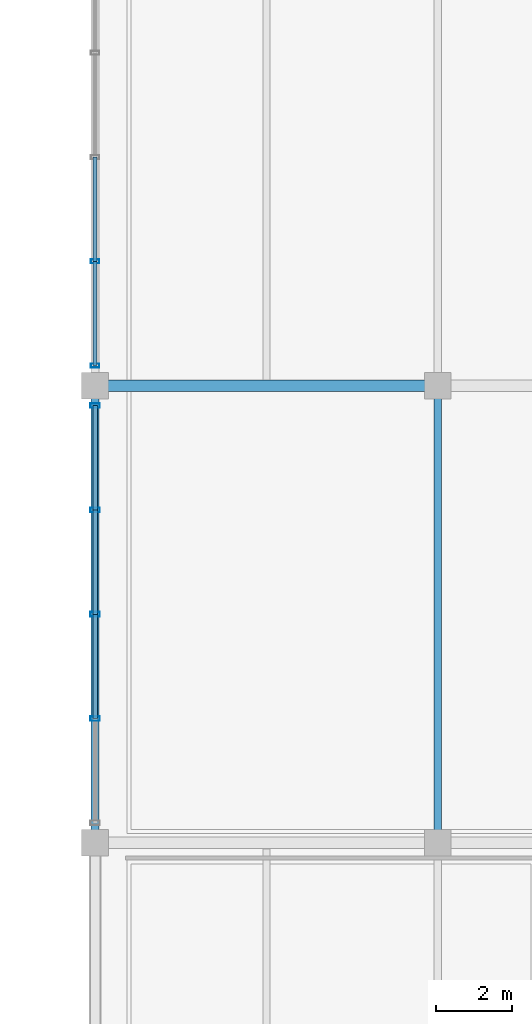
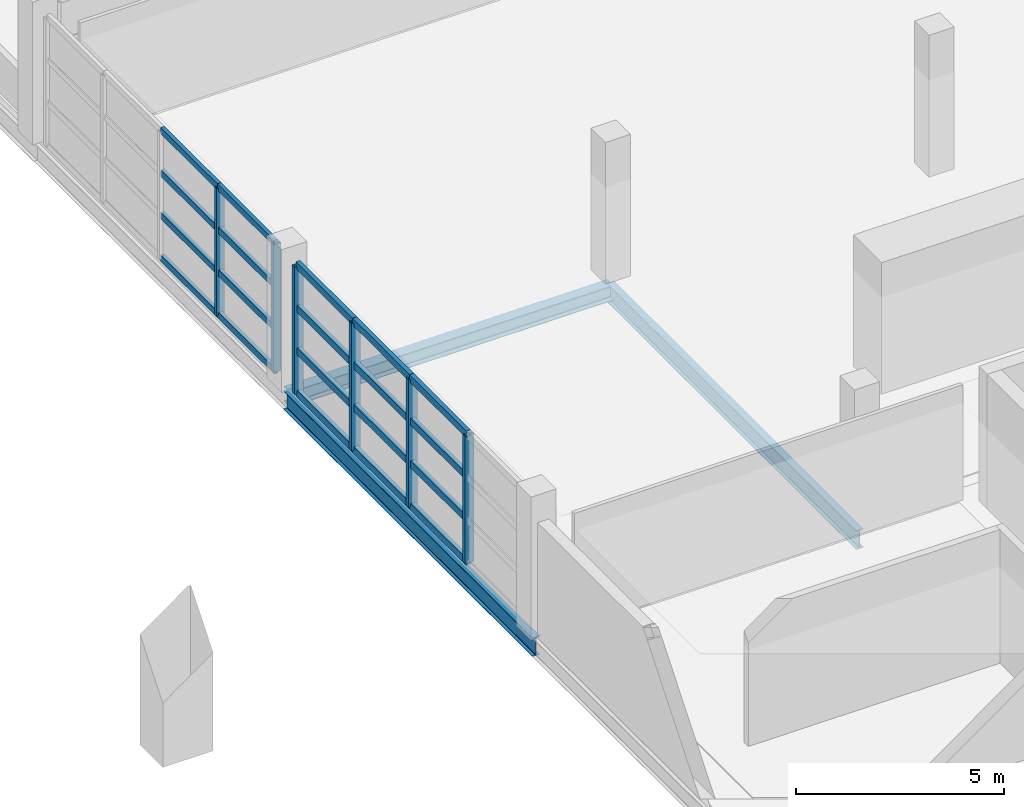
# One storey, part 68 of 136: 26 members, 3 beams, 2 elements without a shape of their own.
"""IFC4 building model written with IfcOpenShell, lengths in metres."""

from ifc_helpers import new_model, si_unit, direction, frame, origin, origin_2d, place, context, subcontext, project, spatial, hollow_rectangle, i_section, extrude, material, material_profile, profile_set, type_object, element, aggregate, save


model = new_model("IFC4")

# Units and contexts
model_context = context("Model", 3, precision=1e-05, world=origin(), true_north=direction((0.0, 1.0)))
body_context = subcontext(model_context, "Body", "Model", "MODEL_VIEW")
ifc_project = project(units=[si_unit("LENGTHUNIT", "METRE"), si_unit("AREAUNIT", "SQUARE_METRE"), si_unit("VOLUMEUNIT", "CUBIC_METRE"), si_unit("PLANEANGLEUNIT", "RADIAN"), si_unit("MASSUNIT", "GRAM", prefix="KILO")], contexts=[model_context])

# Site, building, storey
site_placement = place(None, origin())
site = spatial("IfcSite", under=ifc_project, at=site_placement, CompositionType="ELEMENT")
building_placement = place(site_placement, origin())
building = spatial("IfcBuilding", under=site, at=building_placement, Name="Chuanluo Vaults Station", CompositionType="ELEMENT")
storey_placement = place(building_placement, frame((0.0, 0.0, 6.60009765625)))
storey = spatial("IfcBuildingStorey", under=building, at=storey_placement, Name="L01", CompositionType="ELEMENT", Elevation=6.60009765625)

# Beams
ifc_material_1 = material(Name="Steel Q355C", Category="steel")
ifc_material_profile_1 = material_profile(ifc_material_1, i_section(OverallWidth=0.300048828125, OverallDepth=0.43994140625, WebThickness=0.010986328125, FlangeThickness=0.01806640625, FilletRadius=0.02001953125, at=origin_2d()))
ifc_profile_set_1 = profile_set([ifc_material_profile_1], Name="Steel Q355C")
beam_type_1 = type_object("IfcBeamType", Name="BM-GRD-450", PredefinedType="USERDEFINED", material=ifc_profile_set_1)
beam_placement = place(storey_placement, frame((136.0, 42.0, -0.460205078125), z_axis=(1.0, 0.0, 0.0), x_axis=(0.0, 1.0, 0.0)))
element("IfcBeam", 1, at=beam_placement, inside=storey, type_object=beam_type_1, Name="Floor girder BM:GX:L01:0317", ObjectType="GIRDER", PredefinedType="USERDEFINED", context=body_context, shape_type="SweptSolid", body=[
    extrude(i_section(OverallWidth=0.300048828125, OverallDepth=0.43994140625, WebThickness=0.010986328125, FlangeThickness=0.01806640625, FilletRadius=0.02001953125, at=origin_2d()), origin(), (0.0, 0.0, 1.0), 9.0),
])
ifc_material_2 = material(Name="Steel Q355C", Category="steel")
ifc_material_profile_2 = material_profile(ifc_material_2, i_section(OverallWidth=0.199951171875, OverallDepth=0.550048828125, WebThickness=0.010009765625, FlangeThickness=0.01611328125, FilletRadius=0.01806640625, at=origin_2d()))
ifc_profile_set_2 = profile_set([ifc_material_profile_2], Name="Steel Q355C")
beam_type_2 = type_object("IfcBeamType", Name="BM-GRD-550", PredefinedType="USERDEFINED", material=ifc_profile_set_2)
for number, where, z_axis, x_axis, name in (
    (2, (136.0, 30.0, -0.51513671875), (0.0, 1.0, 0.0), (-1.0, 0.0, 0.0), "Floor girder BM:GY:L01:0457"),
    (3, (145.0, 30.0, -0.51513671875), (0.0, 1.0, 0.0), (-1.0, 0.0, 0.0), "Floor girder BM:GY:L01:0468"),
):
    element("IfcBeam", number, at=place(storey_placement, frame(where, z_axis=z_axis, x_axis=x_axis)), inside=storey, type_object=beam_type_2, Name=name, ObjectType="GIRDER", PredefinedType="USERDEFINED", context=body_context, shape_type="SweptSolid", body=[
        extrude(i_section(OverallWidth=0.199951171875, OverallDepth=0.550048828125, WebThickness=0.010009765625, FlangeThickness=0.01611328125, FilletRadius=0.01806640625, at=origin_2d()), origin(), (0.0, 0.0, 1.0), 12.0),
    ])

# Curtain wall, members
ifc_material_3 = material(Name="Anodised aluminium 6063-T6", Category="aluminium")
curtain_wall_type_1 = type_object("IfcCurtainWallType", Name="CW-SYS-08", PredefinedType="NOTDEFINED", material=ifc_material_3)
curtain_wall_1_placement = place(storey_placement, origin())
curtain_wall_1 = element("IfcCurtainWall", 4, at=curtain_wall_1_placement, inside=storey, type_object=curtain_wall_type_1, Name="Retail pavilion L01 facade CW", PredefinedType="NOTDEFINED")
ifc_material_4 = material(Name="Anodised aluminium 6063-T6", Category="aluminium")
ifc_material_profile_3 = material_profile(ifc_material_4, hollow_rectangle(XDim=0.10498046875, YDim=0.219970703125, WallThickness=0.006103515625, at=origin_2d()))
ifc_profile_set_3 = profile_set([ifc_material_profile_3], Name="Anodised aluminium 6063-T6")
member_type_1 = type_object("IfcMemberType", Name="CWM-140", PredefinedType="MULLION", material=ifc_profile_set_3)
member_1_placement = place(storey_placement, frame((136.0, 42.52490234375, 0.0), z_axis=(0.0, 0.0, 1.0), x_axis=(0.0, 1.0, 0.0)))
member_1 = element("IfcMember", 5, at=member_1_placement, type_object=member_type_1, Name="Retail pavilion L01 facade CW mullion 1", PredefinedType="MULLION", context=body_context, shape_type="SweptSolid", body=[
    extrude(hollow_rectangle(XDim=0.10498046875, YDim=0.219970703125, WallThickness=0.006103515625, at=origin_2d()), origin(), (0.0, 0.0, 1.0), 3.75),
])
member_2_placement = place(storey_placement, frame((136.0, 45.262451171875, 0.0), z_axis=(0.0, 0.0, 1.0), x_axis=(0.0, 1.0, 0.0)))
member_2 = element("IfcMember", 6, at=member_2_placement, type_object=member_type_1, Name="Retail pavilion L01 facade CW mullion 2", PredefinedType="MULLION", context=body_context, shape_type="SweptSolid", body=[
    extrude(hollow_rectangle(XDim=0.10498046875, YDim=0.219970703125, WallThickness=0.006103515625, at=origin_2d()), origin(), (0.0, 0.0, 1.0), 3.75),
])

ifc_material_5 = material(Name="Anodised aluminium 6063-T6", Category="aluminium")
curtain_wall_type_2 = type_object("IfcCurtainWallType", Name="CW-SYS-07", PredefinedType="NOTDEFINED", material=ifc_material_5)
curtain_wall_2_placement = place(storey_placement, origin())
curtain_wall_2 = element("IfcCurtainWall", 7, at=curtain_wall_2_placement, inside=storey, type_object=curtain_wall_type_2, Name="Retail pavilion L01 facade CW", PredefinedType="NOTDEFINED")
ifc_material_6 = material(Name="Anodised aluminium 6063-T6", Category="aluminium")
ifc_material_profile_4 = material_profile(ifc_material_6, hollow_rectangle(XDim=0.1201171875, YDim=0.25, WallThickness=0.006103515625, at=origin_2d()))
ifc_profile_set_4 = profile_set([ifc_material_profile_4], Name="Anodised aluminium 6063-T6")
member_type_2 = type_object("IfcMemberType", Name="CWM-160", PredefinedType="MULLION", material=ifc_profile_set_4)
member_3_placement = place(storey_placement, frame((136.0, 33.262451171875, 0.0), z_axis=(0.0, 0.0, 1.0), x_axis=(0.0, 1.0, 0.0)))
member_3 = element("IfcMember", 8, at=member_3_placement, type_object=member_type_2, Name="Retail pavilion L01 facade CW mullion 2", PredefinedType="MULLION", context=body_context, shape_type="SweptSolid", body=[
    extrude(hollow_rectangle(XDim=0.1201171875, YDim=0.25, WallThickness=0.006103515625, at=origin_2d()), origin(), (0.0, 0.0, 1.0), 3.75),
])
member_4_placement = place(storey_placement, frame((136.0, 36.0, 0.0), z_axis=(0.0, 0.0, 1.0), x_axis=(0.0, 1.0, 0.0)))
member_4 = element("IfcMember", 9, at=member_4_placement, type_object=member_type_2, Name="Retail pavilion L01 facade CW mullion 3", PredefinedType="MULLION", context=body_context, shape_type="SweptSolid", body=[
    extrude(hollow_rectangle(XDim=0.1201171875, YDim=0.25, WallThickness=0.006103515625, at=origin_2d()), origin(), (0.0, 0.0, 1.0), 3.75),
])
member_5_placement = place(storey_placement, frame((136.0, 38.737548828125, 0.0), z_axis=(0.0, 0.0, 1.0), x_axis=(0.0, 1.0, 0.0)))
member_5 = element("IfcMember", 10, at=member_5_placement, type_object=member_type_2, Name="Retail pavilion L01 facade CW mullion 4", PredefinedType="MULLION", context=body_context, shape_type="SweptSolid", body=[
    extrude(hollow_rectangle(XDim=0.1201171875, YDim=0.25, WallThickness=0.006103515625, at=origin_2d()), origin(), (0.0, 0.0, 1.0), 3.75),
])
member_6_placement = place(storey_placement, frame((136.0, 41.47509765625, 0.0), z_axis=(0.0, 0.0, 1.0), x_axis=(0.0, 1.0, 0.0)))
member_6 = element("IfcMember", 11, at=member_6_placement, type_object=member_type_2, Name="Retail pavilion L01 facade CW mullion 5", PredefinedType="MULLION", context=body_context, shape_type="SweptSolid", body=[
    extrude(hollow_rectangle(XDim=0.1201171875, YDim=0.25, WallThickness=0.006103515625, at=origin_2d()), origin(), (0.0, 0.0, 1.0), 3.75),
])

# Member
ifc_material_7 = material(Name="Anodised aluminium 6063-T6", Category="aluminium")
ifc_material_profile_5 = material_profile(ifc_material_7, hollow_rectangle(XDim=0.10498046875, YDim=0.18505859375, WallThickness=0.0048828125, at=origin_2d()))
ifc_profile_set_5 = profile_set([ifc_material_profile_5], Name="Anodised aluminium 6063-T6")
member_type_3 = type_object("IfcMemberType", Name="CWT-110", PredefinedType="USERDEFINED", material=ifc_profile_set_5)
member_7_placement = place(storey_placement, frame((136.0, 42.52490234375, 0.0), z_axis=(0.0, 1.0, 0.0), x_axis=(-1.0, 0.0, 0.0)))
member_7 = element("IfcMember", 12, at=member_7_placement, type_object=member_type_3, Name="Retail pavilion L01 facade CW transom 1.1", ObjectType="TRANSOM", PredefinedType="USERDEFINED", context=body_context, shape_type="SweptSolid", body=[
    extrude(hollow_rectangle(XDim=0.10498046875, YDim=0.18505859375, WallThickness=0.0048828125, at=origin_2d()), origin(), (0.0, 0.0, 1.0), 2.737548828125),
])

member_8_placement = place(storey_placement, frame((136.0, 42.52490234375, 1.25), z_axis=(0.0, 1.0, 0.0), x_axis=(-1.0, 0.0, 0.0)))
member_8 = element("IfcMember", 13, at=member_8_placement, type_object=member_type_3, Name="Retail pavilion L01 facade CW transom 1.2", ObjectType="TRANSOM", PredefinedType="USERDEFINED", context=body_context, shape_type="SweptSolid", body=[
    extrude(hollow_rectangle(XDim=0.10498046875, YDim=0.18505859375, WallThickness=0.0048828125, at=origin_2d()), origin(), (0.0, 0.0, 1.0), 2.737548828125),
])

member_9_placement = place(storey_placement, frame((136.0, 42.52490234375, 2.5), z_axis=(0.0, 1.0, 0.0), x_axis=(-1.0, 0.0, 0.0)))
member_9 = element("IfcMember", 14, at=member_9_placement, type_object=member_type_3, Name="Retail pavilion L01 facade CW transom 1.3", ObjectType="TRANSOM", PredefinedType="USERDEFINED", context=body_context, shape_type="SweptSolid", body=[
    extrude(hollow_rectangle(XDim=0.10498046875, YDim=0.18505859375, WallThickness=0.0048828125, at=origin_2d()), origin(), (0.0, 0.0, 1.0), 2.737548828125),
])

member_10_placement = place(storey_placement, frame((136.0, 42.52490234375, 3.75), z_axis=(0.0, 1.0, 0.0), x_axis=(-1.0, 0.0, 0.0)))
member_10 = element("IfcMember", 15, at=member_10_placement, type_object=member_type_3, Name="Retail pavilion L01 facade CW transom 1.4", ObjectType="TRANSOM", PredefinedType="USERDEFINED", context=body_context, shape_type="SweptSolid", body=[
    extrude(hollow_rectangle(XDim=0.10498046875, YDim=0.18505859375, WallThickness=0.0048828125, at=origin_2d()), origin(), (0.0, 0.0, 1.0), 2.737548828125),
])

member_11_placement = place(storey_placement, frame((136.0, 45.262451171875, 0.0), z_axis=(0.0, 1.0, 0.0), x_axis=(-1.0, 0.0, 0.0)))
member_11 = element("IfcMember", 16, at=member_11_placement, type_object=member_type_3, Name="Retail pavilion L01 facade CW transom 2.1", ObjectType="TRANSOM", PredefinedType="USERDEFINED", context=body_context, shape_type="SweptSolid", body=[
    extrude(hollow_rectangle(XDim=0.10498046875, YDim=0.18505859375, WallThickness=0.0048828125, at=origin_2d()), origin(), (0.0, 0.0, 1.0), 2.737548828125),
])

member_12_placement = place(storey_placement, frame((136.0, 45.262451171875, 1.25), z_axis=(0.0, 1.0, 0.0), x_axis=(-1.0, 0.0, 0.0)))
member_12 = element("IfcMember", 17, at=member_12_placement, type_object=member_type_3, Name="Retail pavilion L01 facade CW transom 2.2", ObjectType="TRANSOM", PredefinedType="USERDEFINED", context=body_context, shape_type="SweptSolid", body=[
    extrude(hollow_rectangle(XDim=0.10498046875, YDim=0.18505859375, WallThickness=0.0048828125, at=origin_2d()), origin(), (0.0, 0.0, 1.0), 2.737548828125),
])

member_13_placement = place(storey_placement, frame((136.0, 45.262451171875, 2.5), z_axis=(0.0, 1.0, 0.0), x_axis=(-1.0, 0.0, 0.0)))
member_13 = element("IfcMember", 18, at=member_13_placement, type_object=member_type_3, Name="Retail pavilion L01 facade CW transom 2.3", ObjectType="TRANSOM", PredefinedType="USERDEFINED", context=body_context, shape_type="SweptSolid", body=[
    extrude(hollow_rectangle(XDim=0.10498046875, YDim=0.18505859375, WallThickness=0.0048828125, at=origin_2d()), origin(), (0.0, 0.0, 1.0), 2.737548828125),
])

member_14_placement = place(storey_placement, frame((136.0, 45.262451171875, 3.75), z_axis=(0.0, 1.0, 0.0), x_axis=(-1.0, 0.0, 0.0)))
member_14 = element("IfcMember", 19, at=member_14_placement, type_object=member_type_3, Name="Retail pavilion L01 facade CW transom 2.4", ObjectType="TRANSOM", PredefinedType="USERDEFINED", context=body_context, shape_type="SweptSolid", body=[
    extrude(hollow_rectangle(XDim=0.10498046875, YDim=0.18505859375, WallThickness=0.0048828125, at=origin_2d()), origin(), (0.0, 0.0, 1.0), 2.737548828125),
])

aggregate(curtain_wall_1, [member_1, member_2, member_7, member_8, member_9, member_10, member_11, member_12, member_13, member_14])

ifc_material_8 = material(Name="Anodised aluminium 6063-T6", Category="aluminium")
ifc_material_profile_6 = material_profile(ifc_material_8, hollow_rectangle(XDim=0.1201171875, YDim=0.205078125, WallThickness=0.006103515625, at=origin_2d()))
ifc_profile_set_6 = profile_set([ifc_material_profile_6], Name="Anodised aluminium 6063-T6")
member_type_4 = type_object("IfcMemberType", Name="CWT-130", PredefinedType="USERDEFINED", material=ifc_profile_set_6)
member_15_placement = place(storey_placement, frame((136.0, 33.262451171875, 0.0), z_axis=(0.0, 1.0, 0.0), x_axis=(-1.0, 0.0, 0.0)))
member_15 = element("IfcMember", 20, at=member_15_placement, type_object=member_type_4, Name="Retail pavilion L01 facade CW transom 2.1", ObjectType="TRANSOM", PredefinedType="USERDEFINED", context=body_context, shape_type="SweptSolid", body=[
    extrude(hollow_rectangle(XDim=0.1201171875, YDim=0.205078125, WallThickness=0.006103515625, at=origin_2d()), origin(), (0.0, 0.0, 1.0), 2.737548828125),
])

member_16_placement = place(storey_placement, frame((136.0, 33.262451171875, 1.25), z_axis=(0.0, 1.0, 0.0), x_axis=(-1.0, 0.0, 0.0)))
member_16 = element("IfcMember", 21, at=member_16_placement, type_object=member_type_4, Name="Retail pavilion L01 facade CW transom 2.2", ObjectType="TRANSOM", PredefinedType="USERDEFINED", context=body_context, shape_type="SweptSolid", body=[
    extrude(hollow_rectangle(XDim=0.1201171875, YDim=0.205078125, WallThickness=0.006103515625, at=origin_2d()), origin(), (0.0, 0.0, 1.0), 2.737548828125),
])

member_17_placement = place(storey_placement, frame((136.0, 33.262451171875, 2.5), z_axis=(0.0, 1.0, 0.0), x_axis=(-1.0, 0.0, 0.0)))
member_17 = element("IfcMember", 22, at=member_17_placement, type_object=member_type_4, Name="Retail pavilion L01 facade CW transom 2.3", ObjectType="TRANSOM", PredefinedType="USERDEFINED", context=body_context, shape_type="SweptSolid", body=[
    extrude(hollow_rectangle(XDim=0.1201171875, YDim=0.205078125, WallThickness=0.006103515625, at=origin_2d()), origin(), (0.0, 0.0, 1.0), 2.737548828125),
])

member_18_placement = place(storey_placement, frame((136.0, 33.262451171875, 3.75), z_axis=(0.0, 1.0, 0.0), x_axis=(-1.0, 0.0, 0.0)))
member_18 = element("IfcMember", 23, at=member_18_placement, type_object=member_type_4, Name="Retail pavilion L01 facade CW transom 2.4", ObjectType="TRANSOM", PredefinedType="USERDEFINED", context=body_context, shape_type="SweptSolid", body=[
    extrude(hollow_rectangle(XDim=0.1201171875, YDim=0.205078125, WallThickness=0.006103515625, at=origin_2d()), origin(), (0.0, 0.0, 1.0), 2.737548828125),
])

member_19_placement = place(storey_placement, frame((136.0, 36.0, 0.0), z_axis=(0.0, 1.0, 0.0), x_axis=(-1.0, 0.0, 0.0)))
member_19 = element("IfcMember", 24, at=member_19_placement, type_object=member_type_4, Name="Retail pavilion L01 facade CW transom 3.1", ObjectType="TRANSOM", PredefinedType="USERDEFINED", context=body_context, shape_type="SweptSolid", body=[
    extrude(hollow_rectangle(XDim=0.1201171875, YDim=0.205078125, WallThickness=0.006103515625, at=origin_2d()), origin(), (0.0, 0.0, 1.0), 2.737548828125),
])

member_20_placement = place(storey_placement, frame((136.0, 36.0, 1.25), z_axis=(0.0, 1.0, 0.0), x_axis=(-1.0, 0.0, 0.0)))
member_20 = element("IfcMember", 25, at=member_20_placement, type_object=member_type_4, Name="Retail pavilion L01 facade CW transom 3.2", ObjectType="TRANSOM", PredefinedType="USERDEFINED", context=body_context, shape_type="SweptSolid", body=[
    extrude(hollow_rectangle(XDim=0.1201171875, YDim=0.205078125, WallThickness=0.006103515625, at=origin_2d()), origin(), (0.0, 0.0, 1.0), 2.737548828125),
])

member_21_placement = place(storey_placement, frame((136.0, 36.0, 2.5), z_axis=(0.0, 1.0, 0.0), x_axis=(-1.0, 0.0, 0.0)))
member_21 = element("IfcMember", 26, at=member_21_placement, type_object=member_type_4, Name="Retail pavilion L01 facade CW transom 3.3", ObjectType="TRANSOM", PredefinedType="USERDEFINED", context=body_context, shape_type="SweptSolid", body=[
    extrude(hollow_rectangle(XDim=0.1201171875, YDim=0.205078125, WallThickness=0.006103515625, at=origin_2d()), origin(), (0.0, 0.0, 1.0), 2.737548828125),
])

member_22_placement = place(storey_placement, frame((136.0, 36.0, 3.75), z_axis=(0.0, 1.0, 0.0), x_axis=(-1.0, 0.0, 0.0)))
member_22 = element("IfcMember", 27, at=member_22_placement, type_object=member_type_4, Name="Retail pavilion L01 facade CW transom 3.4", ObjectType="TRANSOM", PredefinedType="USERDEFINED", context=body_context, shape_type="SweptSolid", body=[
    extrude(hollow_rectangle(XDim=0.1201171875, YDim=0.205078125, WallThickness=0.006103515625, at=origin_2d()), origin(), (0.0, 0.0, 1.0), 2.737548828125),
])

member_23_placement = place(storey_placement, frame((136.0, 38.737548828125, 0.0), z_axis=(0.0, 1.0, 0.0), x_axis=(-1.0, 0.0, 0.0)))
member_23 = element("IfcMember", 28, at=member_23_placement, type_object=member_type_4, Name="Retail pavilion L01 facade CW transom 4.1", ObjectType="TRANSOM", PredefinedType="USERDEFINED", context=body_context, shape_type="SweptSolid", body=[
    extrude(hollow_rectangle(XDim=0.1201171875, YDim=0.205078125, WallThickness=0.006103515625, at=origin_2d()), origin(), (0.0, 0.0, 1.0), 2.737548828125),
])

member_24_placement = place(storey_placement, frame((136.0, 38.737548828125, 1.25), z_axis=(0.0, 1.0, 0.0), x_axis=(-1.0, 0.0, 0.0)))
member_24 = element("IfcMember", 29, at=member_24_placement, type_object=member_type_4, Name="Retail pavilion L01 facade CW transom 4.2", ObjectType="TRANSOM", PredefinedType="USERDEFINED", context=body_context, shape_type="SweptSolid", body=[
    extrude(hollow_rectangle(XDim=0.1201171875, YDim=0.205078125, WallThickness=0.006103515625, at=origin_2d()), origin(), (0.0, 0.0, 1.0), 2.737548828125),
])

member_25_placement = place(storey_placement, frame((136.0, 38.737548828125, 2.5), z_axis=(0.0, 1.0, 0.0), x_axis=(-1.0, 0.0, 0.0)))
member_25 = element("IfcMember", 30, at=member_25_placement, type_object=member_type_4, Name="Retail pavilion L01 facade CW transom 4.3", ObjectType="TRANSOM", PredefinedType="USERDEFINED", context=body_context, shape_type="SweptSolid", body=[
    extrude(hollow_rectangle(XDim=0.1201171875, YDim=0.205078125, WallThickness=0.006103515625, at=origin_2d()), origin(), (0.0, 0.0, 1.0), 2.737548828125),
])

member_26_placement = place(storey_placement, frame((136.0, 38.737548828125, 3.75), z_axis=(0.0, 1.0, 0.0), x_axis=(-1.0, 0.0, 0.0)))
member_26 = element("IfcMember", 31, at=member_26_placement, type_object=member_type_4, Name="Retail pavilion L01 facade CW transom 4.4", ObjectType="TRANSOM", PredefinedType="USERDEFINED", context=body_context, shape_type="SweptSolid", body=[
    extrude(hollow_rectangle(XDim=0.1201171875, YDim=0.205078125, WallThickness=0.006103515625, at=origin_2d()), origin(), (0.0, 0.0, 1.0), 2.737548828125),
])

aggregate(curtain_wall_2, [member_3, member_4, member_5, member_6, member_15, member_16, member_17, member_18, member_19, member_20, member_21, member_22, member_23, member_24, member_25, member_26])

save(model, "model.ifc")
